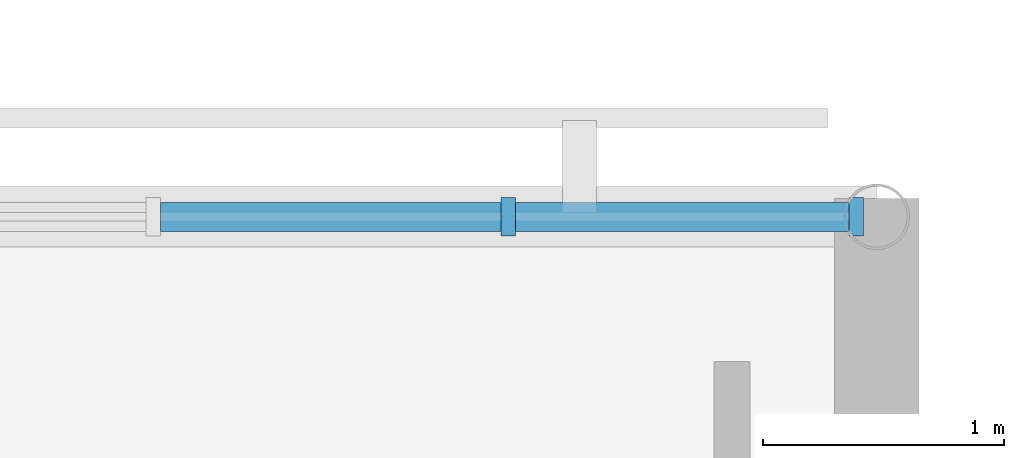
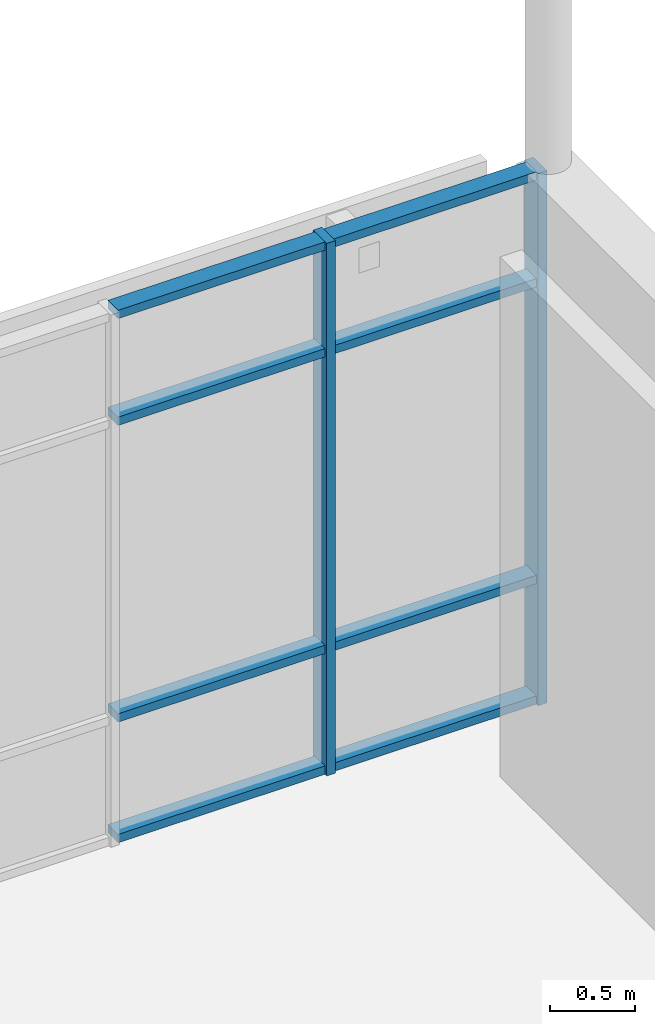
# One storey, part 27 of 66: 10 members, 1 element without a shape of its own.
"""IFC4 building model written with IfcOpenShell, lengths in metres."""

import ifcopenshell
import ifcopenshell.guid

model = None  # the IFC model being written
_history = None  # IfcOwnerHistory: only IFC2X3 demands one
_inside = {}  # id of a spatial element -> (the spatial element, [elements in it])
_under = {}  # id of a project, library or spatial element -> (it, [spatial elements below it])
_declared = {}  # id of a project -> (the project, [libraries it declares])
_typed = {}  # id of a type object -> (the type object, [elements of that type])
_made_of = {}  # id of a material, layer set ... -> (it, [elements and type objects made of it])


def new_model(schema):
    """Start an empty IFC model of exactly this schema.

    Asked for "IFC4X3", IfcOpenShell would pick the latest addendum, in which some entities
    have other attributes; the version numbers below select the first issue.
    IFC2X3 requires an IfcOwnerHistory on every rooted entity: one is made here for all.
    """
    global model, _history
    if schema == "IFC4X3":
        model = ifcopenshell.file(schema_version=(4, 3, 0, 0))
    else:
        model = ifcopenshell.file(schema=schema)
    _inside.clear()
    _under.clear()
    _declared.clear()
    _typed.clear()
    _made_of.clear()
    _history = None
    if model.schema == "IFC2X3":
        org = make("IfcOrganization", Name="unknown")
        user = make(
            "IfcPersonAndOrganization",
            ThePerson=make("IfcPerson", FamilyName="unknown"),
            TheOrganization=org,
        )
        app = make(
            "IfcApplication",
            ApplicationDeveloper=org,
            Version="unknown",
            ApplicationFullName="unknown",
            ApplicationIdentifier="unknown",
        )
        _history = make(
            "IfcOwnerHistory",
            OwningUser=user,
            OwningApplication=app,
            ChangeAction="ADDED",
            CreationDate=0,
        )
    return model


def make(cls, **values):
    """One entity of the class cls with the attributes given. An attribute that is None is left unset."""
    return model.create_entity(
        cls, **{name: value for name, value in values.items() if value is not None}
    )


def rooted(cls, **values):
    """An entity with a GlobalId (a new one), such as an element, a storey or a relation."""
    return make(cls, GlobalId=ifcopenshell.guid.new(), OwnerHistory=_history, **values)


def si_unit(unit_type, name, prefix=None):
    """IfcSIUnit, for example si_unit("LENGTHUNIT", "METRE", prefix="MILLI")."""
    return make("IfcSIUnit", UnitType=unit_type, Prefix=prefix, Name=name)


def assignment(units):
    """IfcUnitAssignment: the units of a project."""
    return None if units is None else make("IfcUnitAssignment", Units=units)


def point(xyz):
    """IfcCartesianPoint."""
    return None if xyz is None else make("IfcCartesianPoint", Coordinates=xyz)


def direction(xyz):
    """IfcDirection."""
    return None if xyz is None else make("IfcDirection", DirectionRatios=xyz)


def frame(location, z_axis=None, x_axis=None):
    """IfcAxis2Placement3D, a coordinate frame: its origin and axes. An axis left out is left unset."""
    return make(
        "IfcAxis2Placement3D",
        Location=point(location),
        Axis=direction(z_axis),
        RefDirection=direction(x_axis),
    )


def frame_2d(location, x_axis=None):
    """IfcAxis2Placement2D, a coordinate frame in the plane: its origin and x axis."""
    return make(
        "IfcAxis2Placement2D", Location=point(location), RefDirection=direction(x_axis)
    )


def origin():
    """The frame at (0, 0, 0) with its axes left unset."""
    return frame((0.0, 0.0, 0.0))


def origin_2d():
    """The frame at (0, 0) in the plane with its x axis left unset."""
    return frame_2d((0.0, 0.0))


def place(relative_to, where):
    """IfcLocalPlacement: puts the frame where relative to a parent placement (None: the world)."""
    return make(
        "IfcLocalPlacement", PlacementRelTo=relative_to, RelativePlacement=where
    )


def context(
    kind, dimensions, precision=None, world=None, true_north=None, identifier=None
):
    """IfcGeometricRepresentationContext, for example the 3D "Model" context."""
    return make(
        "IfcGeometricRepresentationContext",
        ContextIdentifier=identifier,
        ContextType=kind,
        CoordinateSpaceDimension=dimensions,
        Precision=precision,
        WorldCoordinateSystem=world,
        TrueNorth=true_north,
    )


def subcontext(parent, identifier, kind, view, scale=None):
    """IfcGeometricRepresentationSubContext, for example "Body" below "Model"."""
    return make(
        "IfcGeometricRepresentationSubContext",
        ContextIdentifier=identifier,
        ContextType=kind,
        ParentContext=parent,
        TargetScale=scale,
        TargetView=view,
    )


def project(units=None, contexts=None):
    """IfcProject with its units and contexts."""
    return rooted(
        "IfcProject",
        Name="project",
        RepresentationContexts=contexts,
        UnitsInContext=assignment(units),
    )


def spatial(cls, under=None, at=None, **own):
    """A site, building, storey or space (cls), placed at a placement, below another one or the project."""
    s = rooted(cls, ObjectPlacement=at, **own)
    if under is not None:
        _under.setdefault(under.id(), (under, []))[1].append(s)
    return s


def profile(cls, at=None, kind="AREA", **sizes):
    """A parametric profile (cls). Its sizes go by their IFC names, for example OverallWidth=200.0."""
    return make(cls, ProfileType=kind, Position=at, **sizes)


def rectangle(**sizes):
    """IfcRectangleProfileDef."""
    return profile("IfcRectangleProfileDef", **sizes)


def extrude(swept, where, along, depth):
    """IfcExtrudedAreaSolid: the profile swept, set in the frame where, extruded along a direction by depth."""
    return make(
        "IfcExtrudedAreaSolid",
        SweptArea=swept,
        Position=where,
        ExtrudedDirection=direction(along),
        Depth=depth,
    )


def shape(context_of_items, identifier, shape_type, items):
    """IfcShapeRepresentation: the items that make up one representation, for example the "Body"."""
    return make(
        "IfcShapeRepresentation",
        ContextOfItems=context_of_items,
        RepresentationIdentifier=identifier,
        RepresentationType=shape_type,
        Items=items,
    )


def material(Name=None, Category=None):
    """IfcMaterial."""
    return make("IfcMaterial", Name=Name, Category=Category)


def layer(
    of_material, thickness, ventilated=None, Name=None, Category=None, Priority=None
):
    """IfcMaterialLayer: one layer of a wall or slab, of a material (None: an air gap)."""
    return make(
        "IfcMaterialLayer",
        Material=of_material,
        LayerThickness=thickness,
        IsVentilated=ventilated,
        Name=Name,
        Category=Category,
        Priority=Priority,
    )


def layer_set(layers, Name=None):
    """IfcMaterialLayerSet."""
    return make("IfcMaterialLayerSet", MaterialLayers=layers, LayerSetName=Name)


def material_profile(
    of_material, cross_section, Name=None, Category=None, Priority=None
):
    """IfcMaterialProfile: a cross section and its material."""
    return make(
        "IfcMaterialProfile",
        Name=Name,
        Material=of_material,
        Profile=cross_section,
        Priority=Priority,
        Category=Category,
    )


def profile_set(profiles, Name=None, composite=None):
    """IfcMaterialProfileSet."""
    return make(
        "IfcMaterialProfileSet",
        Name=Name,
        MaterialProfiles=profiles,
        CompositeProfile=composite,
    )


def made_of(thing, what):
    """Note that an element or type object is made of a material, layer set ...; save() writes the relation."""
    if what is not None:
        _made_of.setdefault(what.id(), (what, []))[1].append(thing)
    return thing


def type_object(cls, material=None, **own):
    """A type object (cls), such as IfcWallType, which elements share."""
    return made_of(rooted(cls, **own), material)


def element(
    cls,
    number,
    at=None,
    inside=None,
    cuts=None,
    type_object=None,
    material=None,
    context=None,
    identifier="Body",
    shape_type=None,
    held_by="IfcProductDefinitionShape",
    body=None,
    shapes=None,
    **own,
):
    """One element of the class cls, such as IfcWall. Its Tag is "e" and its number.

    at: its placement. inside: the storey or other place that contains it. cuts: it is an
    opening in that element (IfcRelVoidsElement). A single representation is given by context,
    identifier, shape_type and body (its items); several are given by shapes. held_by: the class
    of the entity that holds the representations. save() writes the other relations.
    """
    e = rooted(cls, Tag="e%d" % number, ObjectPlacement=at, **own)
    if body is not None:
        shapes = [shape(context, identifier, shape_type, body)]
    if shapes is not None:
        e.Representation = make(held_by, Representations=shapes)
    if inside is not None:
        _inside.setdefault(inside.id(), (inside, []))[1].append(e)
    if cuts is not None:
        rooted(
            "IfcRelVoidsElement", RelatingBuildingElement=cuts, RelatedOpeningElement=e
        )
    if type_object is not None:
        _typed.setdefault(type_object.id(), (type_object, []))[1].append(e)
    return made_of(e, material)


def aggregate(whole, parts):
    """IfcRelAggregates: a whole, such as a stair, and the parts it consists of."""
    return rooted("IfcRelAggregates", RelatingObject=whole, RelatedObjects=parts)


def save(model, path):
    """Write the relations noted so far, then the file.

    IfcRelAggregates (storeys below a building ...), IfcRelContainedInSpatialStructure (elements
    in a storey), IfcRelDefinesByType, IfcRelAssociatesMaterial and IfcRelDeclares: one each for
    every whole, place, type object, material and project.
    """
    for whole, parts in _under.values():
        aggregate(whole, parts)
    for where, things in _inside.values():
        rooted(
            "IfcRelContainedInSpatialStructure",
            RelatedElements=things,
            RelatingStructure=where,
        )
    for kind, things in _typed.values():
        rooted("IfcRelDefinesByType", RelatedObjects=things, RelatingType=kind)
    for what, things in _made_of.values():
        rooted("IfcRelAssociatesMaterial", RelatedObjects=things, RelatingMaterial=what)
    for by, libraries in _declared.values():
        rooted("IfcRelDeclares", RelatingContext=by, RelatedDefinitions=libraries)
    model.write(path)


model = new_model("IFC4")

# Units and contexts
model_context = context("Model", 3, precision=1e-05, world=origin(), true_north=direction((0.0, 1.0)))
body_context = subcontext(model_context, "Body", "Model", "MODEL_VIEW")
ifc_project = project(units=[si_unit("LENGTHUNIT", "METRE"), si_unit("AREAUNIT", "SQUARE_METRE"), si_unit("VOLUMEUNIT", "CUBIC_METRE"), si_unit("PLANEANGLEUNIT", "RADIAN"), si_unit("MASSUNIT", "GRAM", prefix="KILO")], contexts=[model_context])

# Site, building, storey
site_placement = place(None, origin())
site = spatial("IfcSite", under=ifc_project, at=site_placement, CompositionType="ELEMENT")
building_placement = place(site_placement, origin())
building = spatial("IfcBuilding", under=site, at=building_placement, Name="Mirzam Square Science Centre", CompositionType="ELEMENT")
storey_placement = place(building_placement, frame((0.0, 0.0, 15.60009765625)))
storey = spatial("IfcBuildingStorey", under=building, at=storey_placement, Name="L03", CompositionType="ELEMENT", Elevation=15.60009765625)

# Curtain wall, members
ifc_material_1 = material(Name="Anodised Aluminium and Low-E Solar Glass", Category="aluminium")
ifc_layer = layer(ifc_material_1, 0.199951171875)
ifc_layer_set = layer_set([ifc_layer], Name="CW-EAST-A")
curtain_wall_type = type_object("IfcCurtainWallType", Name="CW-EAST-A", PredefinedType="USERDEFINED", material=ifc_layer_set)
curtain_wall_placement = place(storey_placement, origin())
curtain_wall = element("IfcCurtainWall", 1, at=curtain_wall_placement, inside=storey, type_object=curtain_wall_type, Name="L03 unitised curtain wall 33", ObjectType="UNITISED CURTAIN WALL", PredefinedType="USERDEFINED")
ifc_material_2 = material(Name="Anodised Architectural Aluminium 6063-T6", Category="aluminium")
ifc_material_profile_1 = material_profile(ifc_material_2, rectangle(XDim=0.06005859375, YDim=0.159912109375, at=origin_2d()), Name="ALU-MULL-160x60x4")
ifc_profile_set_1 = profile_set([ifc_material_profile_1], Name="Anodised Architectural Aluminium 6063-T6")
member_type_1 = type_object("IfcMemberType", Name="CWM-160", PredefinedType="MULLION", material=ifc_profile_set_1)
member_1_placement = place(storey_placement, frame((59.9150390625, 80.60009765625, 0.0), z_axis=(0.0, 0.0, 1.0), x_axis=(-1.0, 0.0, 0.0)))
member_1 = element("IfcMember", 2, at=member_1_placement, type_object=member_type_1, Name="CW-05 mullion 1", PredefinedType="MULLION", context=body_context, shape_type="SweptSolid", body=[
    extrude(rectangle(XDim=0.06005859375, YDim=0.159912109375, at=origin_2d()), origin(), (0.0, 0.0, 1.0), 3.83984375),
])
member_2_placement = place(storey_placement, frame((58.472412109375, 80.60009765625, 0.0), z_axis=(0.0, 0.0, 1.0), x_axis=(-1.0, 0.0, 0.0)))
member_2 = element("IfcMember", 3, at=member_2_placement, type_object=member_type_1, Name="CW-05 mullion 2", PredefinedType="MULLION", context=body_context, shape_type="SweptSolid", body=[
    extrude(rectangle(XDim=0.06005859375, YDim=0.159912109375, at=origin_2d()), origin(), (0.0, 0.0, 1.0), 3.83984375),
])
ifc_material_profile_2 = material_profile(ifc_material_2, rectangle(XDim=0.1201171875, YDim=0.06005859375, at=origin_2d()), Name="ALU-TRAN-120x60x4")
ifc_profile_set_2 = profile_set([ifc_material_profile_2], Name="Anodised Architectural Aluminium 6063-T6")
member_type_2 = type_object("IfcMemberType", Name="CWT-120", PredefinedType="USERDEFINED", material=ifc_profile_set_2)
member_3_placement = place(storey_placement, frame((59.885009765625, 80.60009765625, 0.02978515625), z_axis=(-1.0, 0.0, 0.0), x_axis=(0.0, -1.0, 0.0)))
member_3 = element("IfcMember", 4, at=member_3_placement, type_object=member_type_2, Name="CW-05 transom 1.1", ObjectType="TRANSOM", PredefinedType="USERDEFINED", context=body_context, shape_type="SweptSolid", body=[
    extrude(rectangle(XDim=0.1201171875, YDim=0.06005859375, at=origin_2d()), origin(), (0.0, 0.0, 1.0), 1.382568359375),
])
member_4_placement = place(storey_placement, frame((59.885009765625, 80.60009765625, 0.89990234375), z_axis=(-1.0, 0.0, 0.0), x_axis=(0.0, -1.0, 0.0)))
member_4 = element("IfcMember", 5, at=member_4_placement, type_object=member_type_2, Name="CW-05 transom 1.2", ObjectType="TRANSOM", PredefinedType="USERDEFINED", context=body_context, shape_type="SweptSolid", body=[
    extrude(rectangle(XDim=0.1201171875, YDim=0.06005859375, at=origin_2d()), origin(), (0.0, 0.0, 1.0), 1.382568359375),
])
member_5_placement = place(storey_placement, frame((59.885009765625, 80.60009765625, 3.039794921875), z_axis=(-1.0, 0.0, 0.0), x_axis=(0.0, -1.0, 0.0)))
member_5 = element("IfcMember", 6, at=member_5_placement, type_object=member_type_2, Name="CW-05 transom 1.3", ObjectType="TRANSOM", PredefinedType="USERDEFINED", context=body_context, shape_type="SweptSolid", body=[
    extrude(rectangle(XDim=0.1201171875, YDim=0.06005859375, at=origin_2d()), origin(), (0.0, 0.0, 1.0), 1.382568359375),
])
member_6_placement = place(storey_placement, frame((59.885009765625, 80.60009765625, 3.809814453125), z_axis=(-1.0, 0.0, 0.0), x_axis=(0.0, -1.0, 0.0)))
member_6 = element("IfcMember", 7, at=member_6_placement, type_object=member_type_2, Name="CW-05 transom 1.4", ObjectType="TRANSOM", PredefinedType="USERDEFINED", context=body_context, shape_type="SweptSolid", body=[
    extrude(rectangle(XDim=0.1201171875, YDim=0.06005859375, at=origin_2d()), origin(), (0.0, 0.0, 1.0), 1.382568359375),
])
member_7_placement = place(storey_placement, frame((58.4423828125, 80.60009765625, 0.02978515625), z_axis=(-1.0, 0.0, 0.0), x_axis=(0.0, -1.0, 0.0)))
member_7 = element("IfcMember", 8, at=member_7_placement, type_object=member_type_2, Name="CW-05 transom 2.1", ObjectType="TRANSOM", PredefinedType="USERDEFINED", context=body_context, shape_type="SweptSolid", body=[
    extrude(rectangle(XDim=0.1201171875, YDim=0.06005859375, at=origin_2d()), origin(), (0.0, 0.0, 1.0), 1.412353515625),
])
member_8_placement = place(storey_placement, frame((58.4423828125, 80.60009765625, 0.89990234375), z_axis=(-1.0, 0.0, 0.0), x_axis=(0.0, -1.0, 0.0)))
member_8 = element("IfcMember", 9, at=member_8_placement, type_object=member_type_2, Name="CW-05 transom 2.2", ObjectType="TRANSOM", PredefinedType="USERDEFINED", context=body_context, shape_type="SweptSolid", body=[
    extrude(rectangle(XDim=0.1201171875, YDim=0.06005859375, at=origin_2d()), origin(), (0.0, 0.0, 1.0), 1.412353515625),
])
member_9_placement = place(storey_placement, frame((58.4423828125, 80.60009765625, 3.039794921875), z_axis=(-1.0, 0.0, 0.0), x_axis=(0.0, -1.0, 0.0)))
member_9 = element("IfcMember", 10, at=member_9_placement, type_object=member_type_2, Name="CW-05 transom 2.3", ObjectType="TRANSOM", PredefinedType="USERDEFINED", context=body_context, shape_type="SweptSolid", body=[
    extrude(rectangle(XDim=0.1201171875, YDim=0.06005859375, at=origin_2d()), origin(), (0.0, 0.0, 1.0), 1.412353515625),
])
member_10_placement = place(storey_placement, frame((58.4423828125, 80.60009765625, 3.809814453125), z_axis=(-1.0, 0.0, 0.0), x_axis=(0.0, -1.0, 0.0)))
member_10 = element("IfcMember", 11, at=member_10_placement, type_object=member_type_2, Name="CW-05 transom 2.4", ObjectType="TRANSOM", PredefinedType="USERDEFINED", context=body_context, shape_type="SweptSolid", body=[
    extrude(rectangle(XDim=0.1201171875, YDim=0.06005859375, at=origin_2d()), origin(), (0.0, 0.0, 1.0), 1.412353515625),
])
aggregate(curtain_wall, [member_1, member_2, member_3, member_4, member_5, member_6, member_7, member_8, member_9, member_10])

save(model, "model.ifc")
